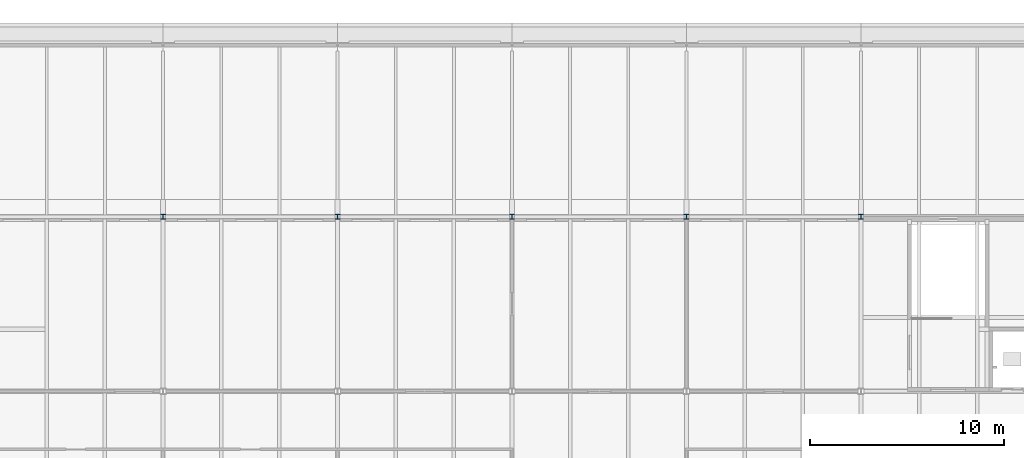
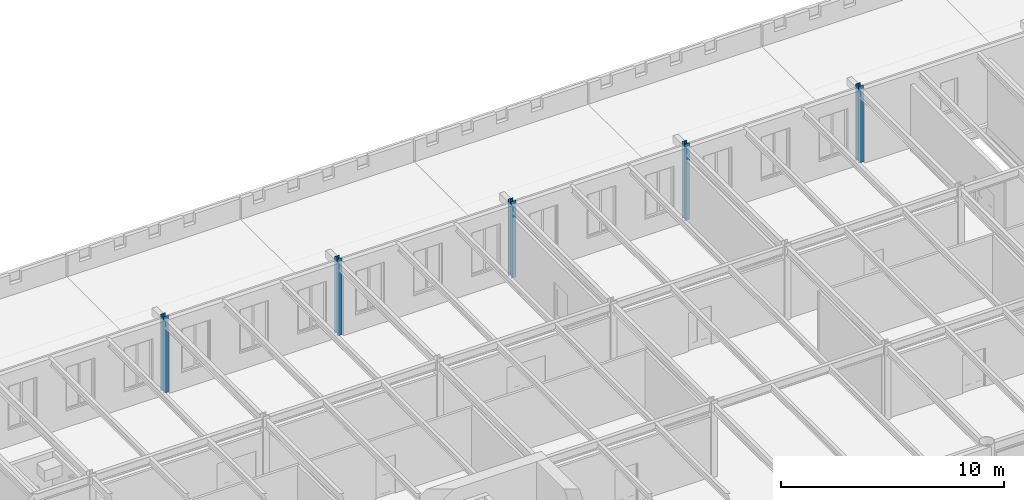
# One storey, part 10 of 123: 5 columns.
"""IFC4 building model written with IfcOpenShell, lengths in metres."""

from ifc_helpers import new_model, si_unit, direction, frame, origin, origin_2d, place, context, subcontext, project, spatial, i_section, extrude, material, material_profile, profile_set, type_object, element, save


model = new_model("IFC4")

# Units and contexts
model_context = context("Model", 3, precision=1e-05, world=origin(), true_north=direction((0.0, 1.0)))
body_context = subcontext(model_context, "Body", "Model", "MODEL_VIEW")
ifc_project = project(units=[si_unit("LENGTHUNIT", "METRE"), si_unit("AREAUNIT", "SQUARE_METRE"), si_unit("VOLUMEUNIT", "CUBIC_METRE"), si_unit("PLANEANGLEUNIT", "RADIAN"), si_unit("MASSUNIT", "GRAM", prefix="KILO")], contexts=[model_context])

# Site, building, storey
site_placement = place(None, origin())
site = spatial("IfcSite", under=ifc_project, at=site_placement, CompositionType="ELEMENT")
building_placement = place(site_placement, origin())
building = spatial("IfcBuilding", under=site, at=building_placement, Name="Baradari Gate Terminus", CompositionType="ELEMENT")
storey_placement = place(building_placement, frame((0.0, 0.0, 7.5)))
storey = spatial("IfcBuildingStorey", under=building, at=storey_placement, Name="L01", CompositionType="ELEMENT", Elevation=7.5)

# Columns
ifc_material = material(Name="Steel S355", Category="steel")
ifc_material_profile = material_profile(ifc_material, i_section(OverallWidth=0.25634765625, OverallDepth=0.26025390625, WebThickness=0.01025390625, FlangeThickness=0.017333984375, FilletRadius=0.0126953125, at=origin_2d()), Name="UC 254x254x89")
ifc_profile_set = profile_set([ifc_material_profile], Name="Steel S355")
column_type = type_object("IfcColumnType", Name="Head-house facade column C08 UC 254x254x89", PredefinedType="COLUMN", material=ifc_profile_set)
for number, where, z_axis, x_axis, name in (
    (1, (81.0, 108.0, 0.0), (0.0, 0.0, 1.0), (1.0, 0.0, 0.0), "C08 column 10-N L01"),
    (2, (90.0, 108.0, 0.0), (0.0, 0.0, 1.0), (1.0, 0.0, 0.0), "C08 column 11-N L01"),
    (3, (99.0, 108.0, 0.0), (0.0, 0.0, 1.0), (1.0, 0.0, 0.0), "C08 column 12-N L01"),
    (4, (108.0, 108.0, 0.0), (0.0, 0.0, 1.0), (1.0, 0.0, 0.0), "C08 column 13-N L01"),
    (5, (117.0, 108.0, 0.0), (0.0, 0.0, 1.0), (1.0, 0.0, 0.0), "C08 column 14-N L01"),
):
    element("IfcColumn", number, at=place(storey_placement, frame(where, z_axis=z_axis, x_axis=x_axis)), inside=storey, type_object=column_type, Name=name, PredefinedType="COLUMN", context=body_context, shape_type="SweptSolid", body=[
        extrude(i_section(OverallWidth=0.25634765625, OverallDepth=0.26025390625, WebThickness=0.01025390625, FlangeThickness=0.017333984375, FilletRadius=0.0126953125, at=origin_2d()), origin(), (0.0, 0.0, 1.0), 4.199951171875),
    ])

save(model, "model.ifc")
